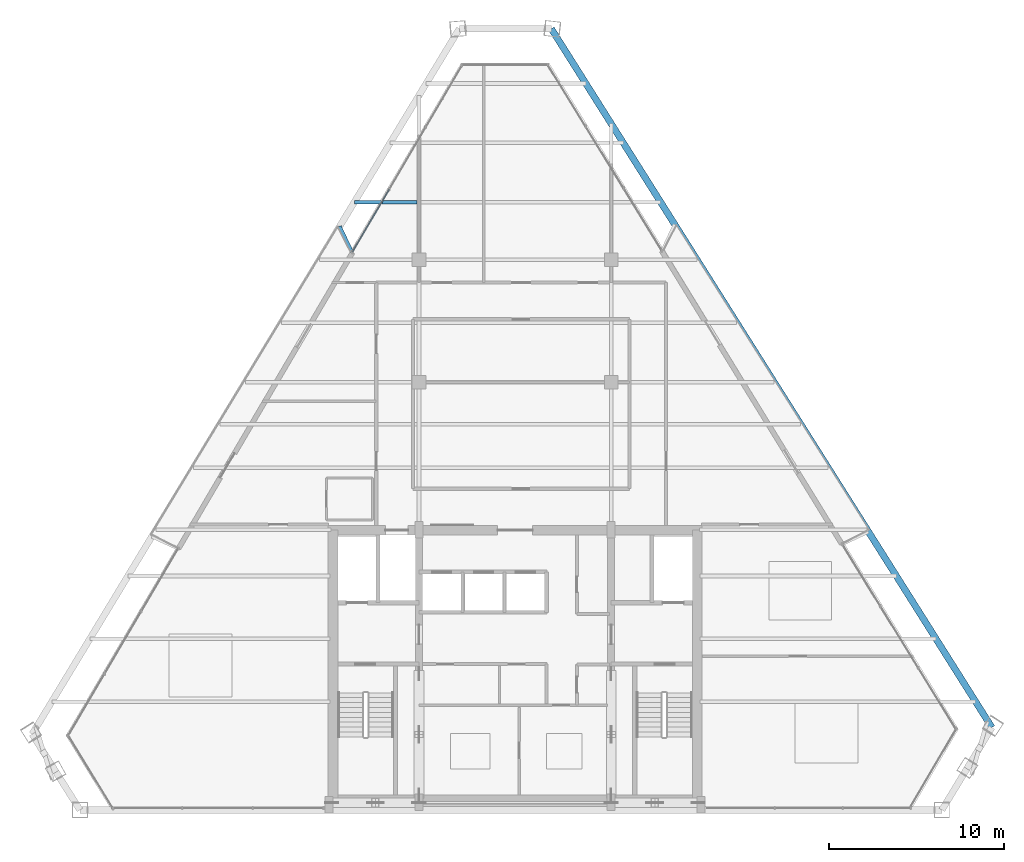
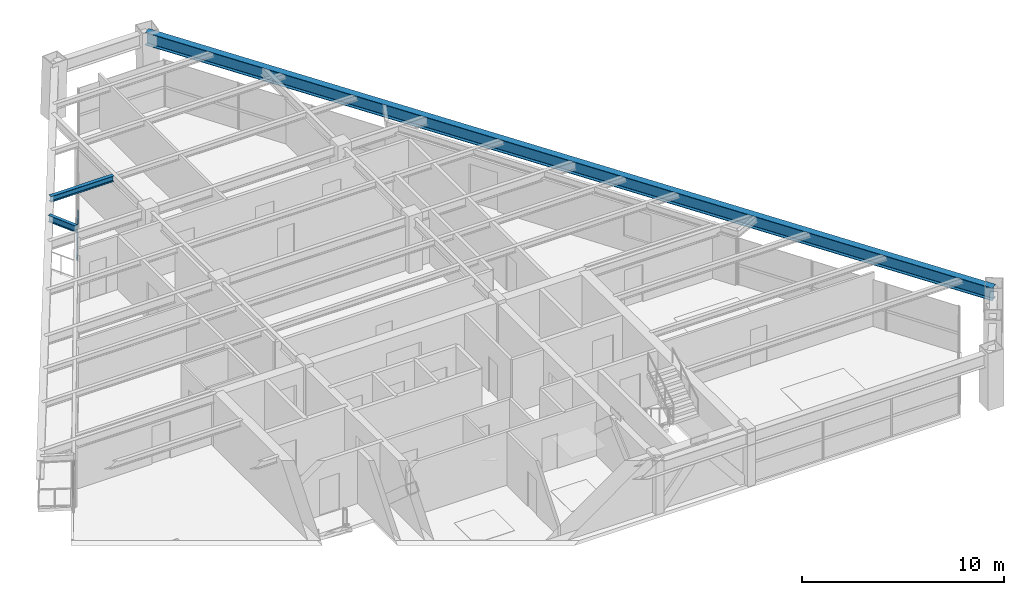
# One storey, part 6 of 13: 3 beams, 1 member, 1 element without a shape of its own.
"""IFC4 building model written with IfcOpenShell, lengths in metres."""

from ifc_helpers import new_model, si_unit, direction, frame, origin, origin_2d, place, context, subcontext, project, spatial, rectangle, i_section, extrude, source, transform, mapped, material, material_profile, profile_set, type_object, element, aggregate, save


model = new_model("IFC4")

# Units and contexts
model_context = context("Model", 3, precision=1e-05, world=origin(), true_north=direction((0.0, 1.0)))
body_context = subcontext(model_context, "Body", "Model", "MODEL_VIEW")
ifc_project = project(units=[si_unit("LENGTHUNIT", "METRE"), si_unit("AREAUNIT", "SQUARE_METRE"), si_unit("VOLUMEUNIT", "CUBIC_METRE"), si_unit("PLANEANGLEUNIT", "RADIAN"), si_unit("MASSUNIT", "GRAM", prefix="KILO")], contexts=[model_context])

# Site, building, storey
site_placement = place(None, origin())
site = spatial("IfcSite", under=ifc_project, at=site_placement, CompositionType="ELEMENT")
building_placement = place(site_placement, origin())
building = spatial("IfcBuilding", under=site, at=building_placement, Name="Varnakhor Terracotta Tower", CompositionType="ELEMENT")
storey_placement = place(building_placement, frame((0.0, 0.0, 244.14990234375)))
storey = spatial("IfcBuildingStorey", under=building, at=storey_placement, Name="L63", CompositionType="ELEMENT", Elevation=244.14990234375)

# Beams
ifc_material_1 = material(Name="Steel S355", Category="steel")
ifc_material_profile_1 = material_profile(ifc_material_1, i_section(OverallWidth=0.381103515625, OverallDepth=0.77294921875, WebThickness=0.01708984375, FlangeThickness=0.027099609375, FilletRadius=0.01806640625, at=origin_2d()), Name="W30X173")
ifc_profile_set_1 = profile_set([ifc_material_profile_1], Name="Steel S355")
beam_type_1 = type_object("IfcBeamType", Name="BM-W30X173", PredefinedType="BEAM", material=ifc_profile_set_1)
shared_shape_1 = source(origin(), body_context, "Body", "SweptSolid", [
    extrude(i_section(OverallWidth=0.381103515625, OverallDepth=0.77294921875, WebThickness=0.01708984375, FlangeThickness=0.027099609375, FilletRadius=0.01806640625, at=origin_2d()), origin(), (0.0, 0.0, 1.0), 47.30126953125),
])
beam_1_placement = place(storey_placement, frame((27.302001953125, 4.7255859375, 2.853515625), z_axis=(-0.533357447876, 0.845889964945, 0.0), x_axis=(-0.845889964945, -0.533357447876, 0.0)))
element("IfcBeam", 1, at=beam_1_placement, inside=storey, type_object=beam_type_1, Name="L63 Perimeter Spandrel 4", PredefinedType="BEAM", context=body_context, shape_type="MappedRepresentation", body=[
    mapped(shared_shape_1, transform((0.0, 0.0, 0.0), scale=1.0)),
])
ifc_material_profile_2 = material_profile(ifc_material_1, i_section(OverallWidth=0.202880859375, OverallDepth=0.346923828125, WebThickness=0.0078125, FlangeThickness=0.013427734375, FilletRadius=0.01806640625, at=origin_2d()), Name="W14X43")
ifc_profile_set_2 = profile_set([ifc_material_profile_2], Name="Steel S355")
beam_type_2 = type_object("IfcBeamType", Name="JST-W14X43", PredefinedType="JOIST", material=ifc_profile_set_2)
shared_shape_2 = source(origin(), body_context, "Body", "SweptSolid", [
    extrude(i_section(OverallWidth=0.202880859375, OverallDepth=0.346923828125, WebThickness=0.0078125, FlangeThickness=0.013427734375, FilletRadius=0.01806640625, at=origin_2d()), origin(), (0.0, 0.0, 1.0), 3.603271484375),
])
beam_2_placement = place(storey_placement, frame((-9.206298828125, 34.800048828125, 3.066650390625), z_axis=(1.0, 0.0, 0.0), x_axis=(0.0, 1.0, 0.0)))
element("IfcBeam", 2, at=beam_2_placement, inside=storey, type_object=beam_type_2, Name="L63 Composite Floor Joist 7-1", PredefinedType="JOIST", context=body_context, shape_type="MappedRepresentation", body=[
    mapped(shared_shape_2, transform((0.0, 0.0, 0.0), scale=1.0)),
])
ifc_material_profile_3 = material_profile(ifc_material_1, i_section(OverallWidth=0.179931640625, OverallDepth=0.39990234375, WebThickness=0.008544921875, FlangeThickness=0.013427734375, FilletRadius=0.01806640625, at=origin_2d()), Name="IPE400")
ifc_profile_set_3 = profile_set([ifc_material_profile_3], Name="Steel S355")
beam_type_3 = type_object("IfcBeamType", Name="JST-IPE400", PredefinedType="JOIST", material=ifc_profile_set_3)
shared_shape_3 = source(origin(), body_context, "Body", "SweptSolid", [
    extrude(i_section(OverallWidth=0.179931640625, OverallDepth=0.39990234375, WebThickness=0.008544921875, FlangeThickness=0.013427734375, FilletRadius=0.01806640625, at=origin_2d()), origin(), (0.0, 0.0, 1.0), 1.624755859375),
])
beam_3_placement = place(storey_placement, frame((-9.3388671875, 31.959716796875, 3.0400390625), z_axis=(-0.430184361624, 0.902741056458, 0.0), x_axis=(-0.902741056458, -0.430184361624, 0.0)))
element("IfcBeam", 3, at=beam_3_placement, inside=storey, type_object=beam_type_3, Name="L64 W Loggia Tie Beam 2", PredefinedType="JOIST", context=body_context, shape_type="MappedRepresentation", body=[
    mapped(shared_shape_3, transform((0.0, 0.0, 0.0), scale=1.0)),
])

# Curtain wall, member
ifc_material_2 = material(Name="Anodised Aluminium Curtain Wall System", Category="aluminium")
curtain_wall_type = type_object("IfcCurtainWallType", Name="CW-SYS-HOTEL-LOGGIA", PredefinedType="NOTDEFINED", material=ifc_material_2)
curtain_wall_placement = place(storey_placement, origin())
curtain_wall = element("IfcCurtainWall", 4, at=curtain_wall_placement, inside=storey, type_object=curtain_wall_type, Name="L63 W Facet Curtain Wall 2", PredefinedType="NOTDEFINED")
ifc_material_3 = material(Name="Anodised Aluminium 6063-T6", Category="aluminium")
ifc_material_profile_4 = material_profile(ifc_material_3, rectangle(XDim=0.06494140625, YDim=0.14501953125, at=origin_2d()), Name="ALU TRANSOM 65x145")
ifc_profile_set_4 = profile_set([ifc_material_profile_4], Name="Anodised Aluminium 6063-T6")
member_type = type_object("IfcMemberType", Name="CWT-04", PredefinedType="USERDEFINED", material=ifc_profile_set_4)
shared_shape_4 = source(origin(), body_context, "Body", "SweptSolid", [
    extrude(rectangle(XDim=0.06494140625, YDim=0.14501953125, at=origin_2d()), origin(), (0.0, 0.0, 1.0), 4.14892578125),
])
member_placement = place(storey_placement, frame((-9.31005859375, 31.954345703125, 1.1845703125), z_axis=(0.506773229013, 0.862079401422, 0.0), x_axis=(-0.862079401422, 0.506773229013, 0.0)))
member = element("IfcMember", 5, at=member_placement, type_object=member_type, Name="L63 W Facet Curtain Wall 2 Transom 1", ObjectType="TRANSOM", PredefinedType="USERDEFINED", context=body_context, shape_type="MappedRepresentation", body=[
    mapped(shared_shape_4, transform((0.0, 0.0, 0.0), scale=1.0)),
])
aggregate(curtain_wall, [member])

save(model, "model.ifc")
